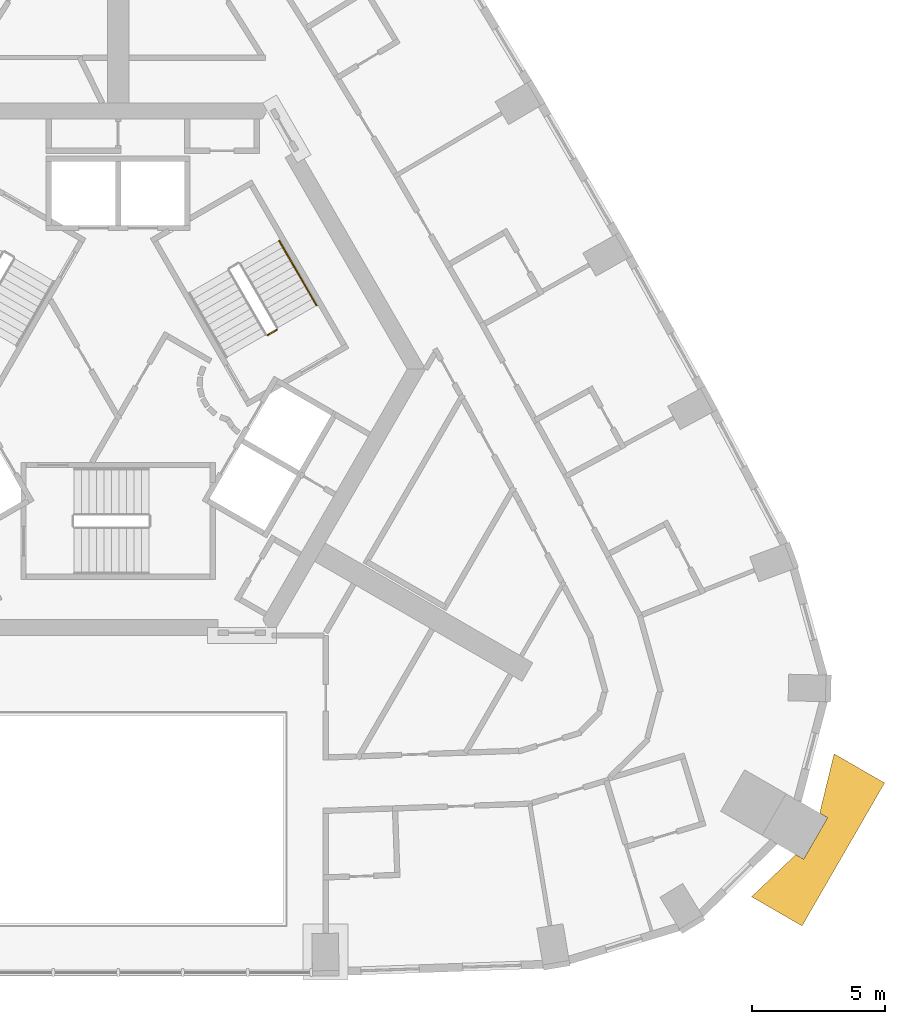
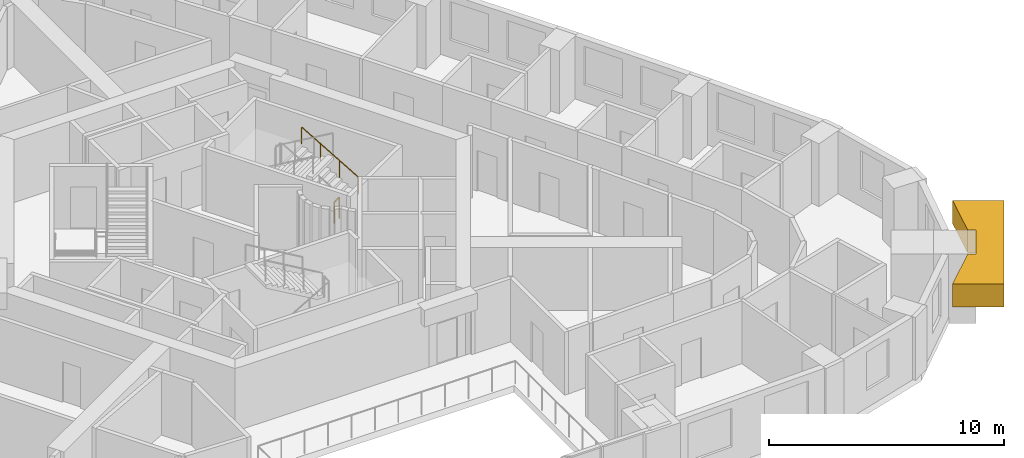
# One storey, part 13 of 14: 2 railings, 1 covering.
"""IFC4 building model written with IfcOpenShell, lengths in metres."""

import ifcopenshell
import ifcopenshell.guid

model = None  # the IFC model being written
_history = None  # IfcOwnerHistory: only IFC2X3 demands one
_inside = {}  # id of a spatial element -> (the spatial element, [elements in it])
_under = {}  # id of a project, library or spatial element -> (it, [spatial elements below it])
_declared = {}  # id of a project -> (the project, [libraries it declares])
_typed = {}  # id of a type object -> (the type object, [elements of that type])
_made_of = {}  # id of a material, layer set ... -> (it, [elements and type objects made of it])


def new_model(schema):
    """Start an empty IFC model of exactly this schema.

    Asked for "IFC4X3", IfcOpenShell would pick the latest addendum, in which some entities
    have other attributes; the version numbers below select the first issue.
    IFC2X3 requires an IfcOwnerHistory on every rooted entity: one is made here for all.
    """
    global model, _history
    if schema == "IFC4X3":
        model = ifcopenshell.file(schema_version=(4, 3, 0, 0))
    else:
        model = ifcopenshell.file(schema=schema)
    _inside.clear()
    _under.clear()
    _declared.clear()
    _typed.clear()
    _made_of.clear()
    _history = None
    if model.schema == "IFC2X3":
        org = make("IfcOrganization", Name="unknown")
        user = make(
            "IfcPersonAndOrganization",
            ThePerson=make("IfcPerson", FamilyName="unknown"),
            TheOrganization=org,
        )
        app = make(
            "IfcApplication",
            ApplicationDeveloper=org,
            Version="unknown",
            ApplicationFullName="unknown",
            ApplicationIdentifier="unknown",
        )
        _history = make(
            "IfcOwnerHistory",
            OwningUser=user,
            OwningApplication=app,
            ChangeAction="ADDED",
            CreationDate=0,
        )
    return model


def make(cls, **values):
    """One entity of the class cls with the attributes given. An attribute that is None is left unset."""
    return model.create_entity(
        cls, **{name: value for name, value in values.items() if value is not None}
    )


def rooted(cls, **values):
    """An entity with a GlobalId (a new one), such as an element, a storey or a relation."""
    return make(cls, GlobalId=ifcopenshell.guid.new(), OwnerHistory=_history, **values)


def si_unit(unit_type, name, prefix=None):
    """IfcSIUnit, for example si_unit("LENGTHUNIT", "METRE", prefix="MILLI")."""
    return make("IfcSIUnit", UnitType=unit_type, Prefix=prefix, Name=name)


def assignment(units):
    """IfcUnitAssignment: the units of a project."""
    return None if units is None else make("IfcUnitAssignment", Units=units)


def point(xyz):
    """IfcCartesianPoint."""
    return None if xyz is None else make("IfcCartesianPoint", Coordinates=xyz)


def direction(xyz):
    """IfcDirection."""
    return None if xyz is None else make("IfcDirection", DirectionRatios=xyz)


def frame(location, z_axis=None, x_axis=None):
    """IfcAxis2Placement3D, a coordinate frame: its origin and axes. An axis left out is left unset."""
    return make(
        "IfcAxis2Placement3D",
        Location=point(location),
        Axis=direction(z_axis),
        RefDirection=direction(x_axis),
    )


def frame_2d(location, x_axis=None):
    """IfcAxis2Placement2D, a coordinate frame in the plane: its origin and x axis."""
    return make(
        "IfcAxis2Placement2D", Location=point(location), RefDirection=direction(x_axis)
    )


def origin():
    """The frame at (0, 0, 0) with its axes left unset."""
    return frame((0.0, 0.0, 0.0))


def origin_2d():
    """The frame at (0, 0) in the plane with its x axis left unset."""
    return frame_2d((0.0, 0.0))


def place(relative_to, where):
    """IfcLocalPlacement: puts the frame where relative to a parent placement (None: the world)."""
    return make(
        "IfcLocalPlacement", PlacementRelTo=relative_to, RelativePlacement=where
    )


def context(
    kind, dimensions, precision=None, world=None, true_north=None, identifier=None
):
    """IfcGeometricRepresentationContext, for example the 3D "Model" context."""
    return make(
        "IfcGeometricRepresentationContext",
        ContextIdentifier=identifier,
        ContextType=kind,
        CoordinateSpaceDimension=dimensions,
        Precision=precision,
        WorldCoordinateSystem=world,
        TrueNorth=true_north,
    )


def subcontext(parent, identifier, kind, view, scale=None):
    """IfcGeometricRepresentationSubContext, for example "Body" below "Model"."""
    return make(
        "IfcGeometricRepresentationSubContext",
        ContextIdentifier=identifier,
        ContextType=kind,
        ParentContext=parent,
        TargetScale=scale,
        TargetView=view,
    )


def project(units=None, contexts=None):
    """IfcProject with its units and contexts."""
    return rooted(
        "IfcProject",
        Name="project",
        RepresentationContexts=contexts,
        UnitsInContext=assignment(units),
    )


def spatial(cls, under=None, at=None, **own):
    """A site, building, storey or space (cls), placed at a placement, below another one or the project."""
    s = rooted(cls, ObjectPlacement=at, **own)
    if under is not None:
        _under.setdefault(under.id(), (under, []))[1].append(s)
    return s


def polyline(points):
    """IfcPolyline through the points."""
    return make("IfcPolyline", Points=[point(p) for p in points])


def profile(cls, at=None, kind="AREA", **sizes):
    """A parametric profile (cls). Its sizes go by their IFC names, for example OverallWidth=200.0."""
    return make(cls, ProfileType=kind, Position=at, **sizes)


def circle(**sizes):
    """IfcCircleProfileDef."""
    return profile("IfcCircleProfileDef", **sizes)


def outline(outer, holes=None, kind="AREA"):
    """IfcArbitraryClosedProfileDef: a profile drawn as a closed curve; with holes, ...WithVoids."""
    if holes is None:
        return make("IfcArbitraryClosedProfileDef", ProfileType=kind, OuterCurve=outer)
    return make(
        "IfcArbitraryProfileDefWithVoids",
        ProfileType=kind,
        OuterCurve=outer,
        InnerCurves=holes,
    )


def extrude(swept, where, along, depth):
    """IfcExtrudedAreaSolid: the profile swept, set in the frame where, extruded along a direction by depth."""
    return make(
        "IfcExtrudedAreaSolid",
        SweptArea=swept,
        Position=where,
        ExtrudedDirection=direction(along),
        Depth=depth,
    )


def shape(context_of_items, identifier, shape_type, items):
    """IfcShapeRepresentation: the items that make up one representation, for example the "Body"."""
    return make(
        "IfcShapeRepresentation",
        ContextOfItems=context_of_items,
        RepresentationIdentifier=identifier,
        RepresentationType=shape_type,
        Items=items,
    )


def material(Name=None, Category=None):
    """IfcMaterial."""
    return make("IfcMaterial", Name=Name, Category=Category)


def made_of(thing, what):
    """Note that an element or type object is made of a material, layer set ...; save() writes the relation."""
    if what is not None:
        _made_of.setdefault(what.id(), (what, []))[1].append(thing)
    return thing


def type_object(cls, material=None, **own):
    """A type object (cls), such as IfcWallType, which elements share."""
    return made_of(rooted(cls, **own), material)


def element(
    cls,
    number,
    at=None,
    inside=None,
    cuts=None,
    type_object=None,
    material=None,
    context=None,
    identifier="Body",
    shape_type=None,
    held_by="IfcProductDefinitionShape",
    body=None,
    shapes=None,
    **own,
):
    """One element of the class cls, such as IfcWall. Its Tag is "e" and its number.

    at: its placement. inside: the storey or other place that contains it. cuts: it is an
    opening in that element (IfcRelVoidsElement). A single representation is given by context,
    identifier, shape_type and body (its items); several are given by shapes. held_by: the class
    of the entity that holds the representations. save() writes the other relations.
    """
    e = rooted(cls, Tag="e%d" % number, ObjectPlacement=at, **own)
    if body is not None:
        shapes = [shape(context, identifier, shape_type, body)]
    if shapes is not None:
        e.Representation = make(held_by, Representations=shapes)
    if inside is not None:
        _inside.setdefault(inside.id(), (inside, []))[1].append(e)
    if cuts is not None:
        rooted(
            "IfcRelVoidsElement", RelatingBuildingElement=cuts, RelatedOpeningElement=e
        )
    if type_object is not None:
        _typed.setdefault(type_object.id(), (type_object, []))[1].append(e)
    return made_of(e, material)


def aggregate(whole, parts):
    """IfcRelAggregates: a whole, such as a stair, and the parts it consists of."""
    return rooted("IfcRelAggregates", RelatingObject=whole, RelatedObjects=parts)


def save(model, path):
    """Write the relations noted so far, then the file.

    IfcRelAggregates (storeys below a building ...), IfcRelContainedInSpatialStructure (elements
    in a storey), IfcRelDefinesByType, IfcRelAssociatesMaterial and IfcRelDeclares: one each for
    every whole, place, type object, material and project.
    """
    for whole, parts in _under.values():
        aggregate(whole, parts)
    for where, things in _inside.values():
        rooted(
            "IfcRelContainedInSpatialStructure",
            RelatedElements=things,
            RelatingStructure=where,
        )
    for kind, things in _typed.values():
        rooted("IfcRelDefinesByType", RelatedObjects=things, RelatingType=kind)
    for what, things in _made_of.values():
        rooted("IfcRelAssociatesMaterial", RelatedObjects=things, RelatingMaterial=what)
    for by, libraries in _declared.values():
        rooted("IfcRelDeclares", RelatingContext=by, RelatedDefinitions=libraries)
    model.write(path)


model = new_model("IFC4")

# Units and contexts
model_context = context("Model", 3, precision=1e-05, world=origin(), true_north=direction((0.0, 1.0)))
body_context = subcontext(model_context, "Body", "Model", "MODEL_VIEW")
ifc_project = project(units=[si_unit("LENGTHUNIT", "METRE"), si_unit("AREAUNIT", "SQUARE_METRE"), si_unit("VOLUMEUNIT", "CUBIC_METRE"), si_unit("PLANEANGLEUNIT", "RADIAN"), si_unit("MASSUNIT", "GRAM", prefix="KILO")], contexts=[model_context])

# Site, building, storey
site_placement = place(None, origin())
site = spatial("IfcSite", under=ifc_project, at=site_placement, CompositionType="ELEMENT")
building_placement = place(site_placement, origin())
building = spatial("IfcBuilding", under=site, at=building_placement, Name="Entoto Arch Interchange Tower", CompositionType="ELEMENT")
storey_placement = place(building_placement, frame((0.0, 0.0, 259.39990234375)))
storey = spatial("IfcBuildingStorey", under=building, at=storey_placement, Name="L59", CompositionType="ELEMENT", Elevation=259.39990234375)

# Covering
ifc_material_1 = material(Name="Board-marked precast concrete C50/60", Category="concrete")
covering_type = type_object("IfcCoveringType", Name="PRECAST FRAME COURSE", PredefinedType="CLADDING", material=ifc_material_1)
covering_placement = place(storey_placement, frame((0.0, 0.0, 2.06005859375)))
element("IfcCovering", 1, at=covering_placement, inside=storey, type_object=covering_type, Name="Corner pilaster head SE L57-L59", PredefinedType="CLADDING", context=body_context, shape_type="SweptSolid", body=[
    extrude(outline(polyline([(28.783935546875, -13.0390625), (25.68408203125, -18.408935546875), (23.7880859375, -17.31396484375), (25.447021484375, -15.73095703125), (25.743896484375, -15.903076171875), (26.64404296875, -14.344970703125), (26.345947265625, -14.173095703125), (26.887939453125, -11.945068359375), (28.783935546875, -13.0390625)])), origin(), (0.0, 0.0, 1.0), 1.199951171875),
])

# Railings
ifc_material_2 = material(Name="Stainless steel 1.4301", Category="steel")
railing_type_1 = type_object("IfcRailingType", Name="STAIR GUARD 1100 STEEL", PredefinedType="GUARDRAIL", material=ifc_material_2)
railing_1_placement = place(storey_placement, frame((5.95947265625, 3.977783203125, 0.0)))
element("IfcRailing", 2, at=railing_1_placement, inside=storey, type_object=railing_type_1, Name="L59 ST-NE stair guard 4", PredefinedType="GUARDRAIL", context=body_context, shape_type="SweptSolid", body=[
    extrude(circle(Radius=0.02392578125, at=origin_2d()), frame((0.0, 0.0, 1.076171875), z_axis=(-0.866094119867, -0.499880961361, 0.0), x_axis=(0.499880961361, -0.866094119867, 0.0)), (0.0, 0.0, 1.0), 0.39990234375),
    extrude(circle(Radius=0.02099609375, at=origin_2d()), origin(), (0.0, 0.0, 1.0), 1.052001953125),
    extrude(circle(Radius=0.02099609375, at=origin_2d()), frame((-0.346435546875, -0.199951171875, 0.0)), (0.0, 0.0, 1.0), 1.052001953125),
])
railing_type_2 = type_object("IfcRailingType", Name="STAIR HANDRAIL 900 STEEL", PredefinedType="HANDRAIL", material=ifc_material_2)
railing_2_placement = place(storey_placement, frame((7.4501953125, 4.89599609375, 0.163818359375)))
element("IfcRailing", 3, at=railing_2_placement, inside=storey, type_object=railing_type_2, Name="L59 ST-NE stair handrail 1", PredefinedType="HANDRAIL", context=body_context, shape_type="SweptSolid", body=[
    extrude(circle(Radius=0.02392578125, at=origin_2d()), frame((0.0, 0.0, 0.8759765625), z_axis=(-0.431713979052, 0.747727106176, 0.504506902808), x_axis=(-0.866018616679, -0.500011755427, 0.0)), (0.0, 0.0, 1.0), 3.2431640625),
    extrude(circle(Radius=0.02099609375, at=origin_2d()), origin(), (0.0, 0.0, 1.0), 0.851806640625),
    extrude(circle(Radius=0.02099609375, at=origin_2d()), frame((-0.466796875, 0.808349609375, 0.54541015625)), (0.0, 0.0, 1.0), 0.851806640625),
    extrude(circle(Radius=0.02099609375, at=origin_2d()), frame((-0.933349609375, 1.61669921875, 1.0908203125)), (0.0, 0.0, 1.0), 0.851806640625),
    extrude(circle(Radius=0.02099609375, at=origin_2d()), frame((-1.400146484375, 2.425048828125, 1.63623046875)), (0.0, 0.0, 1.0), 0.851806640625),
])

save(model, "model.ifc")
